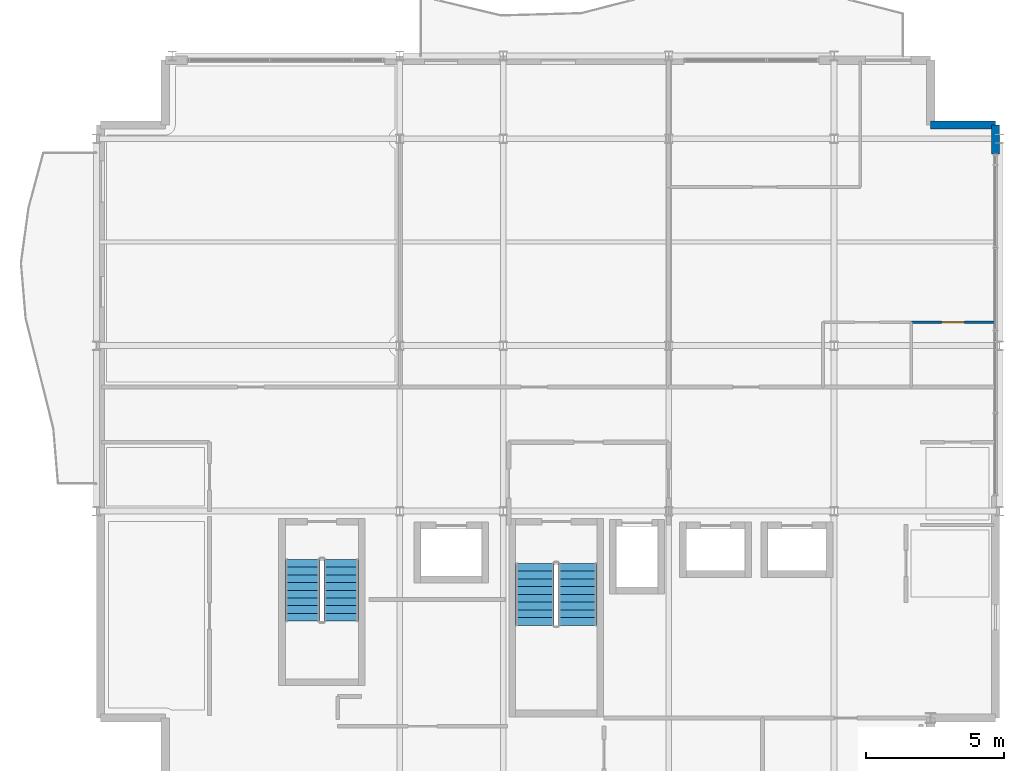
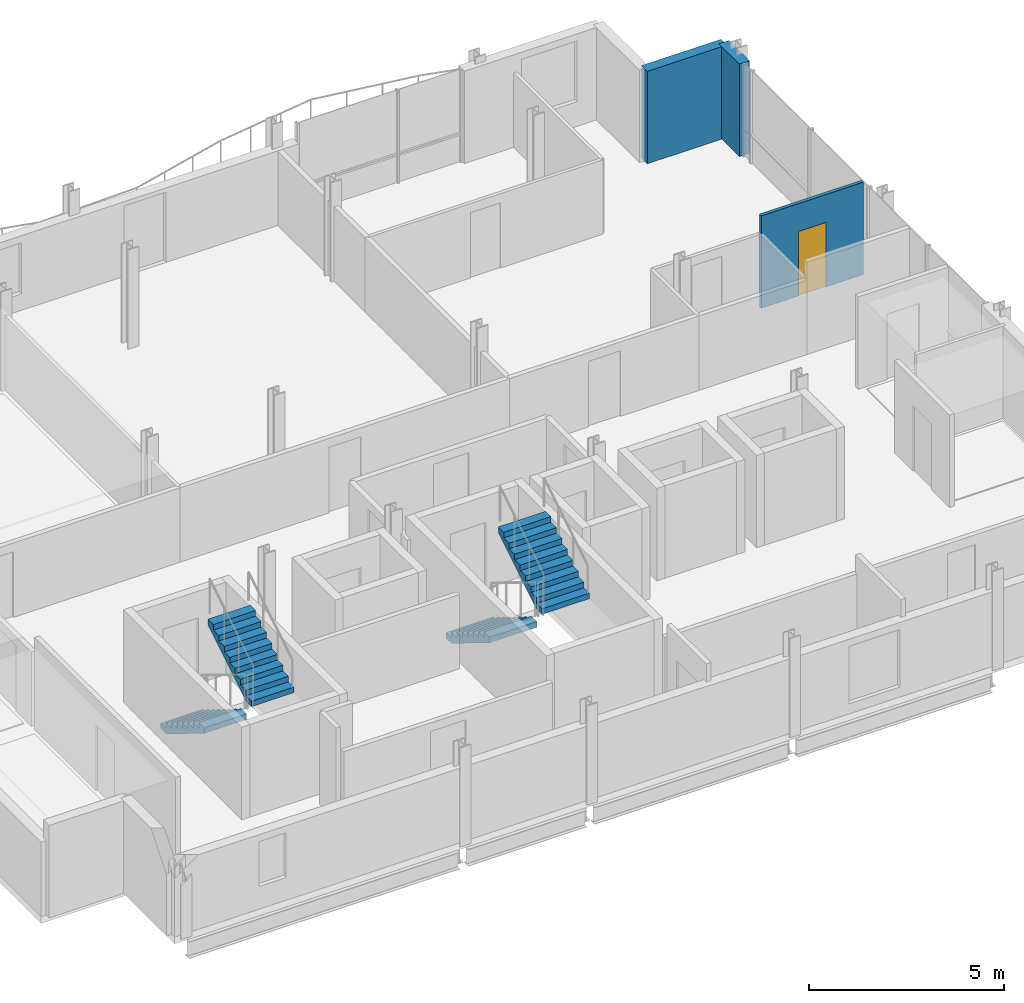
# One storey, part 10 of 12: 4 stair flights, 3 walls, 1 door, 1 opening, 2 elements without a shape of their own.
"""IFC4 building model written with IfcOpenShell, lengths in metres."""

from ifc_helpers import new_model, si_unit, direction, frame, frame_2d, origin, place, context, subcontext, project, spatial, polyline, rectangle, outline, extrude, material, layer, layer_set, type_object, element, fill, aggregate, save


model = new_model("IFC4")

# Units and contexts
model_context = context("Model", 3, precision=1e-05, world=origin(), true_north=direction((0.0, 1.0)))
body_context = subcontext(model_context, "Body", "Model", "MODEL_VIEW")
ifc_project = project(units=[si_unit("LENGTHUNIT", "METRE"), si_unit("AREAUNIT", "SQUARE_METRE"), si_unit("VOLUMEUNIT", "CUBIC_METRE"), si_unit("PLANEANGLEUNIT", "RADIAN"), si_unit("MASSUNIT", "GRAM", prefix="KILO")], contexts=[model_context])

# Site, building, storey
site_placement = place(None, origin())
site = spatial("IfcSite", under=ifc_project, at=site_placement, CompositionType="ELEMENT")
building_placement = place(site_placement, origin())
building = spatial("IfcBuilding", under=site, at=building_placement, Name="Brevholm Reach", CompositionType="ELEMENT")
storey_placement = place(building_placement, frame((0.0, 0.0, 233.5)))
storey = spatial("IfcBuildingStorey", under=building, at=storey_placement, Name="L71", CompositionType="ELEMENT", Elevation=233.5)

# Walls
ifc_material_1 = material(Name="Concrete C40/50", Category="concrete")
ifc_layer_1 = layer(ifc_material_1, 0.300048828125)
ifc_layer_set_1 = layer_set([ifc_layer_1], Name="Concrete C40/50")
wall_type_1 = type_object("IfcWallType", Name="WAL-EXT-300", PredefinedType="STANDARD", material=ifc_layer_set_1)
wall_1_placement = place(storey_placement, frame((59.85009765625, 24.0, 0.0), z_axis=(0.0, 0.0, 1.0), x_axis=(-1.0, 0.0, 0.0)))
element("IfcWall", 1, at=wall_1_placement, inside=storey, type_object=wall_type_1, Name="L71 Facade Wall WAL-L71-CNE1", PredefinedType="STANDARD", context=body_context, shape_type="SweptSolid", body=[
    extrude(rectangle(XDim=2.35009765625, YDim=0.300048828125, at=frame_2d((1.175048828125, 0.0))), origin(), (0.0, 0.0, 1.0), 2.889892578125),
])
wall_2_placement = place(storey_placement, frame((59.85009765625, 22.949951171875, 0.0), z_axis=(0.0, 0.0, 1.0), x_axis=(0.0, 1.0, 0.0)))
element("IfcWall", 2, at=wall_2_placement, inside=storey, type_object=wall_type_1, Name="L71 Facade Wall WAL-L71-E-TOP", PredefinedType="STANDARD", context=body_context, shape_type="SweptSolid", body=[
    extrude(rectangle(XDim=1.050048828125, YDim=0.300048828125, at=frame_2d((0.52490234375, 0.0))), origin(), (0.0, 0.0, 1.0), 2.889892578125),
])

# Wall, opening, door
ifc_material_2 = material(Name="Moisture-Resistant Acoustic Gypsum Stud Partition 100 mm", Category="gypsum")
ifc_layer_2 = layer(ifc_material_2, 0.10009765625)
ifc_layer_set_2 = layer_set([ifc_layer_2], Name="Moisture-Resistant Acoustic Gypsum Stud Partition 100 mm")
wall_type_2 = type_object("IfcWallType", Name="WAL-PRT-100", PredefinedType="PARTITIONING", material=ifc_layer_set_2)
wall_3_placement = place(storey_placement, frame((56.800048828125, 16.85009765625, 0.0), z_axis=(0.0, 0.0, 1.0), x_axis=(1.0, 0.0, 0.0)))
wall_3 = element("IfcWall", 3, at=wall_3_placement, inside=storey, type_object=wall_type_2, Name="L71 Internal Partition 024", PredefinedType="PARTITIONING", context=body_context, shape_type="SweptSolid", body=[
    extrude(rectangle(XDim=3.02001953125, YDim=0.10009765625, at=frame_2d((1.510009765625, 0.0))), origin(), (0.0, 0.0, 1.0), 2.889892578125),
])
opening_placement = place(wall_3_placement, frame((1.10009765625, 0.0, 0.0)))
opening = element("IfcOpeningElement", 4, at=opening_placement, cuts=wall_3, Name="Opening ID-03", PredefinedType="OPENING", context=body_context, shape_type="SweptSolid", body=[
    extrude(rectangle(XDim=0.820068359375, YDim=2.02001953125, at=frame_2d((0.41015625, 1.010009765625))), frame((0.0, 0.06005859375, 0.0), z_axis=(0.0, -1.0, 0.0), x_axis=(1.0, 0.0, 0.0)), (0.0, 0.0, 1.0), 0.1201171875),
])
ifc_material_3 = material(Name="Moisture-Resistant Painted Timber Internal Bathroom Door", Category="wood")
door_type = type_object("IfcDoorType", Name="DOR-BATH-820", OperationType="NOTDEFINED", PredefinedType="DOOR", material=ifc_material_3)
door_placement = place(opening_placement, origin())
door = element("IfcDoor", 5, at=door_placement, inside=storey, type_object=door_type, Name="L71 Internal Door 014", OperationType="SINGLE_SWING_RIGHT", OverallHeight=2.02001953125, OverallWidth=0.820068359375, PredefinedType="DOOR", context=body_context, shape_type="SweptSolid", body=[
    extrude(rectangle(XDim=0.820068359375, YDim=2.02001953125, at=frame_2d((0.41015625, 1.010009765625))), frame((0.0, 0.02490234375, 0.0), z_axis=(0.0, -1.0, 0.0), x_axis=(1.0, 0.0, 0.0)), (0.0, 0.0, 1.0), 0.050048828125),
])
fill(opening, door)

# Stair, stair flights
ifc_material_4 = material(Name="Precast Concrete C40/50", Category="concrete")
stair_type_1 = type_object("IfcStairType", Name="STR-ESC-1250", PredefinedType="DOUBLE_RETURN_STAIR", material=ifc_material_4)
stair_1_placement = place(storey_placement, origin())
stair_1 = element("IfcStair", 6, at=stair_1_placement, inside=storey, type_object=stair_type_1, Name="L71 ST-3", PredefinedType="DOUBLE_RETURN_STAIR")
ifc_material_5 = material(Name="Precast Concrete C40/50", Category="concrete")
ifc_layer_3 = layer(ifc_material_5, 0.1650390625)
ifc_layer_set_3 = layer_set([ifc_layer_3], Name="Precast Concrete C40/50")
stair_flight_type_1 = type_object("IfcStairFlightType", Name="STF-PRC-165", PredefinedType="STRAIGHT", material=ifc_layer_set_3)
stair_flight_1_placement = place(storey_placement, frame((34.72509765625, 8.25, 0.0), z_axis=(0.0, 0.0, 1.0), x_axis=(0.0, -1.0, 0.0)))
stair_flight_1 = element("IfcStairFlight", 7, at=stair_flight_1_placement, type_object=stair_flight_type_1, Name="ST-3 flight 1", NumberOfRisers=9, NumberOfTreads=8, PredefinedType="STRAIGHT", RiserHeight=0.172222222, TreadLength=0.28, context=body_context, shape_type="SweptSolid", body=[
    extrude(outline(polyline([(0.0, 0.0), (0.0, 0.172119140625), (0.280029296875, 0.172119140625), (0.280029296875, 0.344482421875), (0.56005859375, 0.344482421875), (0.56005859375, 0.5166015625), (0.840087890625, 0.5166015625), (0.840087890625, 0.68896484375), (1.1201171875, 0.68896484375), (1.1201171875, 0.861083984375), (1.39990234375, 0.861083984375), (1.39990234375, 1.033447265625), (1.679931640625, 1.033447265625), (1.679931640625, 1.20556640625), (1.9599609375, 1.20556640625), (1.9599609375, 1.377685546875), (2.239990234375, 1.377685546875), (2.239990234375, 1.550048828125), (2.239990234375, 1.201904296875), (0.2861328125, 0.0), (0.0, 0.0)])), frame((0.0, 0.625, 0.0), z_axis=(0.0, -1.0, 0.0), x_axis=(1.0, 0.0, 0.0)), (0.0, 0.0, 1.0), 1.25),
])
stair_flight_2_placement = place(storey_placement, frame((36.125, 6.010009765625, 1.550048828125), z_axis=(0.0, 0.0, 1.0), x_axis=(0.0, 1.0, 0.0)))
stair_flight_2 = element("IfcStairFlight", 8, at=stair_flight_2_placement, type_object=stair_flight_type_1, Name="ST-3 flight 2", NumberOfRisers=9, NumberOfTreads=8, PredefinedType="STRAIGHT", RiserHeight=0.172222222, TreadLength=0.28, context=body_context, shape_type="SweptSolid", body=[
    extrude(outline(polyline([(0.0, 0.0), (0.0, 0.172119140625), (0.280029296875, 0.172119140625), (0.280029296875, 0.344482421875), (0.56005859375, 0.344482421875), (0.56005859375, 0.5166015625), (0.840087890625, 0.5166015625), (0.840087890625, 0.68896484375), (1.1201171875, 0.68896484375), (1.1201171875, 0.861083984375), (1.39990234375, 0.861083984375), (1.39990234375, 1.033447265625), (1.679931640625, 1.033447265625), (1.679931640625, 1.20556640625), (1.9599609375, 1.20556640625), (1.9599609375, 1.377685546875), (2.239990234375, 1.377685546875), (2.239990234375, 1.550048828125), (2.239990234375, 1.201904296875), (0.2861328125, 0.0), (0.0, 0.0)])), frame((0.0, 0.625, 0.0), z_axis=(0.0, -1.0, 0.0), x_axis=(1.0, 0.0, 0.0)), (0.0, 0.0, 1.0), 1.25),
])
aggregate(stair_1, [stair_flight_1, stair_flight_2])

ifc_material_6 = material(Name="Precast Concrete C40/50", Category="concrete")
stair_type_2 = type_object("IfcStairType", Name="STR-ESC-1400", PredefinedType="DOUBLE_RETURN_STAIR", material=ifc_material_6)
stair_2_placement = place(storey_placement, origin())
stair_2 = element("IfcStair", 9, at=stair_2_placement, inside=storey, type_object=stair_type_2, Name="L71 ST-2", PredefinedType="DOUBLE_RETURN_STAIR")
ifc_material_7 = material(Name="Precast Concrete C40/50", Category="concrete")
ifc_layer_4 = layer(ifc_material_7, 0.18505859375)
ifc_layer_set_4 = layer_set([ifc_layer_4], Name="Precast Concrete C40/50")
stair_flight_type_2 = type_object("IfcStairFlightType", Name="STF-PRC-185", PredefinedType="STRAIGHT", material=ifc_layer_set_4)
stair_flight_3_placement = place(storey_placement, frame((43.14990234375, 8.10009765625, 0.0), z_axis=(0.0, 0.0, 1.0), x_axis=(0.0, -1.0, 0.0)))
stair_flight_3 = element("IfcStairFlight", 10, at=stair_flight_3_placement, type_object=stair_flight_type_2, Name="ST-2 flight 1", NumberOfRisers=9, NumberOfTreads=8, PredefinedType="STRAIGHT", RiserHeight=0.172222222, TreadLength=0.28, context=body_context, shape_type="SweptSolid", body=[
    extrude(outline(polyline([(0.0, 0.0), (0.0, 0.172119140625), (0.280029296875, 0.172119140625), (0.280029296875, 0.344482421875), (0.56005859375, 0.344482421875), (0.56005859375, 0.5166015625), (0.840087890625, 0.5166015625), (0.840087890625, 0.68896484375), (1.1201171875, 0.68896484375), (1.1201171875, 0.861083984375), (1.39990234375, 0.861083984375), (1.39990234375, 1.033447265625), (1.679931640625, 1.033447265625), (1.679931640625, 1.20556640625), (1.9599609375, 1.20556640625), (1.9599609375, 1.377685546875), (2.239990234375, 1.377685546875), (2.239990234375, 1.550048828125), (2.239990234375, 1.201904296875), (0.2861328125, 0.0), (0.0, 0.0)])), frame((0.0, 0.699951171875, 0.0), z_axis=(0.0, -1.0, 0.0), x_axis=(1.0, 0.0, 0.0)), (0.0, 0.0, 1.0), 1.39990234375),
])
stair_flight_4_placement = place(storey_placement, frame((44.699951171875, 5.860107421875, 1.550048828125), z_axis=(0.0, 0.0, 1.0), x_axis=(0.0, 1.0, 0.0)))
stair_flight_4 = element("IfcStairFlight", 11, at=stair_flight_4_placement, type_object=stair_flight_type_2, Name="ST-2 flight 2", NumberOfRisers=9, NumberOfTreads=8, PredefinedType="STRAIGHT", RiserHeight=0.172222222, TreadLength=0.28, context=body_context, shape_type="SweptSolid", body=[
    extrude(outline(polyline([(0.0, 0.0), (0.0, 0.172119140625), (0.280029296875, 0.172119140625), (0.280029296875, 0.344482421875), (0.56005859375, 0.344482421875), (0.56005859375, 0.5166015625), (0.840087890625, 0.5166015625), (0.840087890625, 0.68896484375), (1.1201171875, 0.68896484375), (1.1201171875, 0.861083984375), (1.39990234375, 0.861083984375), (1.39990234375, 1.033447265625), (1.679931640625, 1.033447265625), (1.679931640625, 1.20556640625), (1.9599609375, 1.20556640625), (1.9599609375, 1.377685546875), (2.239990234375, 1.377685546875), (2.239990234375, 1.550048828125), (2.239990234375, 1.201904296875), (0.2861328125, 0.0), (0.0, 0.0)])), frame((0.0, 0.699951171875, 0.0), z_axis=(0.0, -1.0, 0.0), x_axis=(1.0, 0.0, 0.0)), (0.0, 0.0, 1.0), 1.39990234375),
])
aggregate(stair_2, [stair_flight_3, stair_flight_4])

save(model, "model.ifc")
